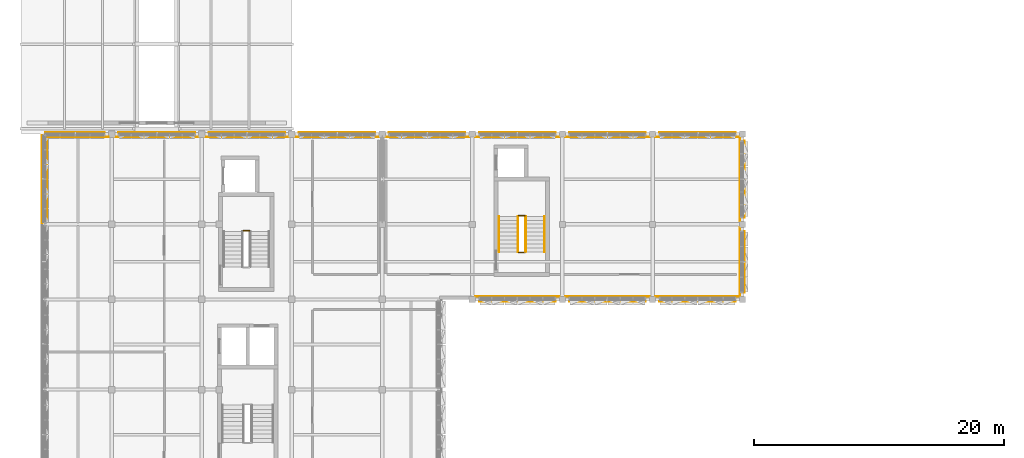
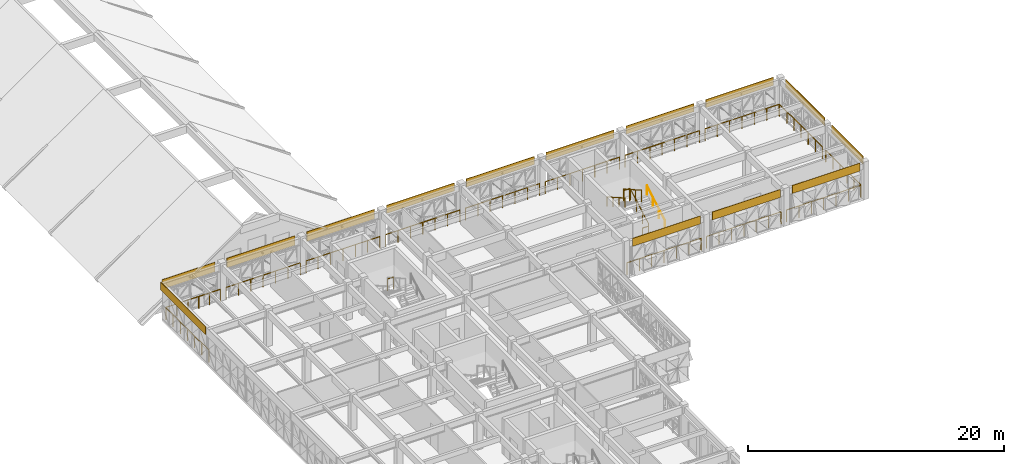
# One storey, part 41 of 48: 21 railings, 14 coverings.
"""IFC4 building model written with IfcOpenShell, lengths in metres."""

from ifc_helpers import new_model, si_unit, direction, frame, origin, origin_2d, place, context, subcontext, project, spatial, polyline, circle, outline, extrude, material, layer, layer_set, type_object, element, save


model = new_model("IFC4")

# Units and contexts
model_context = context("Model", 3, precision=1e-05, world=origin(), true_north=direction((0.0, 1.0)))
body_context = subcontext(model_context, "Body", "Model", "MODEL_VIEW")
ifc_project = project(units=[si_unit("LENGTHUNIT", "METRE"), si_unit("AREAUNIT", "SQUARE_METRE"), si_unit("VOLUMEUNIT", "CUBIC_METRE"), si_unit("PLANEANGLEUNIT", "RADIAN"), si_unit("MASSUNIT", "GRAM", prefix="KILO")], contexts=[model_context])

# Site, building, storey
site_placement = place(None, origin())
site = spatial("IfcSite", under=ifc_project, at=site_placement, CompositionType="ELEMENT")
building_placement = place(site_placement, origin())
building = spatial("IfcBuilding", under=site, at=building_placement, Name="Alvorim Cloister Faculty of Sciences", CompositionType="ELEMENT")
storey_placement = place(building_placement, frame((0.0, 0.0, 19.35009765625)))
storey = spatial("IfcBuildingStorey", under=building, at=storey_placement, Name="L05", CompositionType="ELEMENT", Elevation=19.35009765625)

# Coverings
ifc_material_1 = material(Name="Anodised Aluminium Alloy 6063-T6", Category="aluminium")
ifc_layer = layer(ifc_material_1, 0.031982421875)
ifc_layer_set = layer_set([ifc_layer], Name="Anodised Aluminium Alloy 6063-T6")
covering_type = type_object("IfcCoveringType", Name="COV-FAC-CAS", PredefinedType="CLADDING", material=ifc_layer_set)
covering_1_placement = place(storey_placement, frame((1.64990234375, 49.280029296875, 2.8369140625), z_axis=(0.0, 0.0, 1.0), x_axis=(0.0, 1.0, 0.0)))
element("IfcCovering", 1, at=covering_1_placement, inside=storey, type_object=covering_type, Name="L05 Shifted Bar Slab-Edge Architectural Fascia", PredefinedType="CLADDING", context=body_context, shape_type="SweptSolid", body=[
    extrude(outline(polyline([(0.0, 0.0), (7.0400390625, 0.0), (7.0400390625, 0.7529296875), (0.0, 0.7529296875), (0.0, 0.0)])), frame((0.0, 0.0224609375, 0.0), z_axis=(0.0, -1.0, 0.0), x_axis=(1.0, 0.0, 0.0)), (0.0, 0.0, 1.0), 0.044921875),
])
covering_2_placement = place(storey_placement, frame((1.8798828125, 56.550048828125, 2.685791015625), z_axis=(0.0, 0.0, 1.0), x_axis=(1.0, 0.0, 0.0)))
element("IfcCovering", 2, at=covering_2_placement, inside=storey, type_object=covering_type, Name="L05 Shifted Bar Slab-Edge Architectural Fascia", PredefinedType="CLADDING", context=body_context, shape_type="SweptSolid", body=[
    extrude(outline(polyline([(0.0, 0.0), (4.780029296875, 0.0), (4.780029296875, 0.904052734375), (0.0, 0.904052734375), (0.0, 0.0)])), frame((0.0, 0.0224609375, 0.0), z_axis=(0.0, -1.0, 0.0), x_axis=(1.0, 0.0, 0.0)), (0.0, 0.0, 1.0), 0.044921875),
])
for number, where, z_axis, x_axis, name in (
    (3, (7.739990234375, 56.550048828125, 2.685791015625), (0.0, 0.0, 1.0), (1.0, 0.0, 0.0), "L05 Shifted Bar Slab-Edge Architectural Fascia"),
    (4, (14.93994140625, 56.550048828125, 2.685791015625), (0.0, 0.0, 1.0), (1.0, 0.0, 0.0), "L05 Shifted Bar Slab-Edge Architectural Fascia"),
):
    element("IfcCovering", number, at=place(storey_placement, frame(where, z_axis=z_axis, x_axis=x_axis)), inside=storey, type_object=covering_type, Name=name, PredefinedType="CLADDING", context=body_context, shape_type="SweptSolid", body=[
        extrude(outline(polyline([(0.0, 0.0), (6.1201171875, 0.0), (6.1201171875, 0.904052734375), (0.0, 0.904052734375), (0.0, 0.0)])), frame((0.0, 0.0224609375, 0.0), z_axis=(0.0, -1.0, 0.0), x_axis=(1.0, 0.0, 0.0)), (0.0, 0.0, 1.0), 0.044921875),
    ])
for number, where, z_axis, x_axis, name in (
    (5, (22.139892578125, 56.550048828125, 2.829833984375), (0.0, 0.0, 1.0), (1.0, 0.0, 0.0), "L05 Shifted Bar Slab-Edge Architectural Fascia"),
    (6, (29.340087890625, 56.550048828125, 2.829833984375), (0.0, 0.0, 1.0), (1.0, 0.0, 0.0), "L05 Shifted Bar Slab-Edge Architectural Fascia"),
    (7, (36.5400390625, 56.550048828125, 2.829833984375), (0.0, 0.0, 1.0), (1.0, 0.0, 0.0), "L05 Shifted Bar Slab-Edge Architectural Fascia"),
    (8, (43.739990234375, 56.550048828125, 2.829833984375), (0.0, 0.0, 1.0), (1.0, 0.0, 0.0), "L05 Shifted Bar Slab-Edge Architectural Fascia"),
    (9, (50.93994140625, 56.550048828125, 2.829833984375), (0.0, 0.0, 1.0), (1.0, 0.0, 0.0), "L05 Shifted Bar Slab-Edge Architectural Fascia"),
    (10, (57.75, 49.739990234375, 2.829833984375), (0.0, 0.0, 1.0), (0.0, 1.0, 0.0), "L05 Shifted Bar Slab-Edge Architectural Fascia"),
):
    element("IfcCovering", number, at=place(storey_placement, frame(where, z_axis=z_axis, x_axis=x_axis)), inside=storey, type_object=covering_type, Name=name, PredefinedType="CLADDING", context=body_context, shape_type="SweptSolid", body=[
        extrude(outline(polyline([(0.0, 0.0), (6.1201171875, 0.0), (6.1201171875, 0.760009765625), (0.0, 0.760009765625), (0.0, 0.0)])), frame((0.0, 0.0224609375, 0.0), z_axis=(0.0, -1.0, 0.0), x_axis=(1.0, 0.0, 0.0)), (0.0, 0.0, 1.0), 0.044921875),
    ])
covering_3_placement = place(storey_placement, frame((57.75, 43.739990234375, 2.829833984375), z_axis=(0.0, 0.0, 1.0), x_axis=(0.0, 1.0, 0.0)))
element("IfcCovering", 11, at=covering_3_placement, inside=storey, type_object=covering_type, Name="L05 Shifted Bar Slab-Edge Architectural Fascia", PredefinedType="CLADDING", context=body_context, shape_type="SweptSolid", body=[
    extrude(outline(polyline([(0.0, 0.0), (4.919921875, 0.0), (4.919921875, 0.760009765625), (0.0, 0.760009765625), (0.0, 0.0)])), frame((0.0, 0.0224609375, 0.0), z_axis=(0.0, -1.0, 0.0), x_axis=(1.0, 0.0, 0.0)), (0.0, 0.0, 1.0), 0.044921875),
])
for number, where, z_axis, x_axis, name in (
    (12, (50.93994140625, 43.050048828125, 2.829833984375), (0.0, 0.0, 1.0), (1.0, 0.0, 0.0), "L05 Shifted Bar Slab-Edge Architectural Fascia"),
    (13, (43.739990234375, 43.050048828125, 2.829833984375), (0.0, 0.0, 1.0), (1.0, 0.0, 0.0), "L05 Shifted Bar Slab-Edge Architectural Fascia"),
    (14, (36.5400390625, 43.050048828125, 2.829833984375), (0.0, 0.0, 1.0), (1.0, 0.0, 0.0), "L05 Shifted Bar Slab-Edge Architectural Fascia"),
):
    element("IfcCovering", number, at=place(storey_placement, frame(where, z_axis=z_axis, x_axis=x_axis)), inside=storey, type_object=covering_type, Name=name, PredefinedType="CLADDING", context=body_context, shape_type="SweptSolid", body=[
        extrude(outline(polyline([(0.0, 0.0), (6.1201171875, 0.0), (6.1201171875, 0.760009765625), (0.0, 0.760009765625), (0.0, 0.0)])), frame((0.0, 0.0224609375, 0.0), z_axis=(0.0, -1.0, 0.0), x_axis=(1.0, 0.0, 0.0)), (0.0, 0.0, 1.0), 0.044921875),
    ])

# Railings
ifc_material_2 = material(Name="Laminated Safety Glass and Bronze", Category="glass")
railing_type_1 = type_object("IfcRailingType", Name="RL-ATR-BAL-1150", PredefinedType="BALUSTRADE", material=ifc_material_2)
railing_1_placement = place(storey_placement, frame((2.02001953125, 49.449951171875, 0.0)))
element("IfcRailing", 15, at=railing_1_placement, inside=storey, type_object=railing_type_1, Name="L05 Curtain Wall Sill Guard BL-212", PredefinedType="BALUSTRADE", context=body_context, shape_type="SweptSolid", body=[
    extrude(circle(Radius=0.02392578125, at=origin_2d()), frame((0.0, 0.0, 1.1259765625), z_axis=(0.0, 1.0, 0.0), x_axis=(-1.0, 0.0, 0.0)), (0.0, 0.0, 1.0), 6.699951171875),
    extrude(circle(Radius=0.02099609375, at=origin_2d()), origin(), (0.0, 0.0, 1.0), 1.101806640625),
    extrude(circle(Radius=0.02099609375, at=origin_2d()), frame((0.0, 1.11669921875, 0.0)), (0.0, 0.0, 1.0), 1.101806640625),
    extrude(circle(Radius=0.02099609375, at=origin_2d()), frame((0.0, 2.2333984375, 0.0)), (0.0, 0.0, 1.0), 1.101806640625),
    extrude(circle(Radius=0.02099609375, at=origin_2d()), frame((0.0, 3.35009765625, 0.0)), (0.0, 0.0, 1.0), 1.101806640625),
    extrude(circle(Radius=0.02099609375, at=origin_2d()), frame((0.0, 4.466552734375, 0.0)), (0.0, 0.0, 1.0), 1.101806640625),
    extrude(circle(Radius=0.02099609375, at=origin_2d()), frame((0.0, 5.583251953125, 0.0)), (0.0, 0.0, 1.0), 1.101806640625),
    extrude(circle(Radius=0.02099609375, at=origin_2d()), frame((0.0, 6.699951171875, 0.0)), (0.0, 0.0, 1.0), 1.101806640625),
])
railing_2_placement = place(storey_placement, frame((2.050048828125, 56.179931640625, 0.0)))
element("IfcRailing", 16, at=railing_2_placement, inside=storey, type_object=railing_type_1, Name="L05 Curtain Wall Sill Guard BL-213", PredefinedType="BALUSTRADE", context=body_context, shape_type="SweptSolid", body=[
    extrude(circle(Radius=0.02392578125, at=origin_2d()), frame((0.0, 0.0, 1.1259765625), z_axis=(1.0, 0.0, 0.0), x_axis=(0.0, 1.0, 0.0)), (0.0, 0.0, 1.0), 4.89990234375),
    extrude(circle(Radius=0.02099609375, at=origin_2d()), origin(), (0.0, 0.0, 1.0), 1.101806640625),
    extrude(circle(Radius=0.02099609375, at=origin_2d()), frame((0.97998046875, 0.0, 0.0)), (0.0, 0.0, 1.0), 1.101806640625),
    extrude(circle(Radius=0.02099609375, at=origin_2d()), frame((1.9599609375, 0.0, 0.0)), (0.0, 0.0, 1.0), 1.101806640625),
    extrude(circle(Radius=0.02099609375, at=origin_2d()), frame((2.93994140625, 0.0, 0.0)), (0.0, 0.0, 1.0), 1.101806640625),
    extrude(circle(Radius=0.02099609375, at=origin_2d()), frame((3.919921875, 0.0, 0.0)), (0.0, 0.0, 1.0), 1.101806640625),
    extrude(circle(Radius=0.02099609375, at=origin_2d()), frame((4.89990234375, 0.0, 0.0)), (0.0, 0.0, 1.0), 1.101806640625),
])
railing_3_placement = place(storey_placement, frame((7.449951171875, 56.179931640625, 0.0)))
element("IfcRailing", 17, at=railing_3_placement, inside=storey, type_object=railing_type_1, Name="L05 Curtain Wall Sill Guard BL-214", PredefinedType="BALUSTRADE", context=body_context, shape_type="SweptSolid", body=[
    extrude(circle(Radius=0.02392578125, at=origin_2d()), frame((0.0, 0.0, 1.1259765625), z_axis=(1.0, 0.0, 0.0), x_axis=(0.0, 1.0, 0.0)), (0.0, 0.0, 1.0), 6.699951171875),
    extrude(circle(Radius=0.02099609375, at=origin_2d()), origin(), (0.0, 0.0, 1.0), 1.101806640625),
    extrude(circle(Radius=0.02099609375, at=origin_2d()), frame((1.11669921875, 0.0, 0.0)), (0.0, 0.0, 1.0), 1.101806640625),
    extrude(circle(Radius=0.02099609375, at=origin_2d()), frame((2.2333984375, 0.0, 0.0)), (0.0, 0.0, 1.0), 1.101806640625),
    extrude(circle(Radius=0.02099609375, at=origin_2d()), frame((3.35009765625, 0.0, 0.0)), (0.0, 0.0, 1.0), 1.101806640625),
    extrude(circle(Radius=0.02099609375, at=origin_2d()), frame((4.466552734375, 0.0, 0.0)), (0.0, 0.0, 1.0), 1.101806640625),
    extrude(circle(Radius=0.02099609375, at=origin_2d()), frame((5.583251953125, 0.0, 0.0)), (0.0, 0.0, 1.0), 1.101806640625),
    extrude(circle(Radius=0.02099609375, at=origin_2d()), frame((6.699951171875, 0.0, 0.0)), (0.0, 0.0, 1.0), 1.101806640625),
])
railing_4_placement = place(storey_placement, frame((14.64990234375, 56.179931640625, 0.0)))
element("IfcRailing", 18, at=railing_4_placement, inside=storey, type_object=railing_type_1, Name="L05 Curtain Wall Sill Guard BL-215", PredefinedType="BALUSTRADE", context=body_context, shape_type="SweptSolid", body=[
    extrude(circle(Radius=0.02392578125, at=origin_2d()), frame((0.0, 0.0, 1.1259765625), z_axis=(1.0, 0.0, 0.0), x_axis=(0.0, 1.0, 0.0)), (0.0, 0.0, 1.0), 6.7001953125),
    extrude(circle(Radius=0.02099609375, at=origin_2d()), origin(), (0.0, 0.0, 1.0), 1.101806640625),
    extrude(circle(Radius=0.02099609375, at=origin_2d()), frame((1.11669921875, 0.0, 0.0)), (0.0, 0.0, 1.0), 1.101806640625),
    extrude(circle(Radius=0.02099609375, at=origin_2d()), frame((2.2333984375, 0.0, 0.0)), (0.0, 0.0, 1.0), 1.101806640625),
    extrude(circle(Radius=0.02099609375, at=origin_2d()), frame((3.35009765625, 0.0, 0.0)), (0.0, 0.0, 1.0), 1.101806640625),
    extrude(circle(Radius=0.02099609375, at=origin_2d()), frame((4.466796875, 0.0, 0.0)), (0.0, 0.0, 1.0), 1.101806640625),
    extrude(circle(Radius=0.02099609375, at=origin_2d()), frame((5.58349609375, 0.0, 0.0)), (0.0, 0.0, 1.0), 1.101806640625),
    extrude(circle(Radius=0.02099609375, at=origin_2d()), frame((6.7001953125, 0.0, 0.0)), (0.0, 0.0, 1.0), 1.101806640625),
])
for number, where, name in (
    (19, (21.85009765625, 56.179931640625, 0.0), "L05 Curtain Wall Sill Guard BL-216"),
    (20, (29.050048828125, 56.179931640625, 0.0), "L05 Curtain Wall Sill Guard BL-217"),
    (21, (36.25, 56.179931640625, 0.0), "L05 Curtain Wall Sill Guard BL-218"),
    (22, (43.449951171875, 56.179931640625, 0.0), "L05 Curtain Wall Sill Guard BL-219"),
):
    element("IfcRailing", number, at=place(storey_placement, frame(where)), inside=storey, type_object=railing_type_1, Name=name, PredefinedType="BALUSTRADE", context=body_context, shape_type="SweptSolid", body=[
        extrude(circle(Radius=0.02392578125, at=origin_2d()), frame((0.0, 0.0, 1.1259765625), z_axis=(1.0, 0.0, 0.0), x_axis=(0.0, 1.0, 0.0)), (0.0, 0.0, 1.0), 6.699951171875),
        extrude(circle(Radius=0.02099609375, at=origin_2d()), origin(), (0.0, 0.0, 1.0), 1.101806640625),
        extrude(circle(Radius=0.02099609375, at=origin_2d()), frame((1.11669921875, 0.0, 0.0)), (0.0, 0.0, 1.0), 1.101806640625),
        extrude(circle(Radius=0.02099609375, at=origin_2d()), frame((2.2333984375, 0.0, 0.0)), (0.0, 0.0, 1.0), 1.101806640625),
        extrude(circle(Radius=0.02099609375, at=origin_2d()), frame((3.35009765625, 0.0, 0.0)), (0.0, 0.0, 1.0), 1.101806640625),
        extrude(circle(Radius=0.02099609375, at=origin_2d()), frame((4.466552734375, 0.0, 0.0)), (0.0, 0.0, 1.0), 1.101806640625),
        extrude(circle(Radius=0.02099609375, at=origin_2d()), frame((5.583251953125, 0.0, 0.0)), (0.0, 0.0, 1.0), 1.101806640625),
        extrude(circle(Radius=0.02099609375, at=origin_2d()), frame((6.699951171875, 0.0, 0.0)), (0.0, 0.0, 1.0), 1.101806640625),
    ])
railing_5_placement = place(storey_placement, frame((50.64990234375, 56.179931640625, 0.0)))
element("IfcRailing", 23, at=railing_5_placement, inside=storey, type_object=railing_type_1, Name="L05 Curtain Wall Sill Guard BL-220", PredefinedType="BALUSTRADE", context=body_context, shape_type="SweptSolid", body=[
    extrude(circle(Radius=0.02392578125, at=origin_2d()), frame((0.0, 0.0, 1.1259765625), z_axis=(1.0, 0.0, 0.0), x_axis=(0.0, 1.0, 0.0)), (0.0, 0.0, 1.0), 6.7001953125),
    extrude(circle(Radius=0.02099609375, at=origin_2d()), origin(), (0.0, 0.0, 1.0), 1.101806640625),
    extrude(circle(Radius=0.02099609375, at=origin_2d()), frame((1.11669921875, 0.0, 0.0)), (0.0, 0.0, 1.0), 1.101806640625),
    extrude(circle(Radius=0.02099609375, at=origin_2d()), frame((2.2333984375, 0.0, 0.0)), (0.0, 0.0, 1.0), 1.101806640625),
    extrude(circle(Radius=0.02099609375, at=origin_2d()), frame((3.35009765625, 0.0, 0.0)), (0.0, 0.0, 1.0), 1.101806640625),
    extrude(circle(Radius=0.02099609375, at=origin_2d()), frame((4.466796875, 0.0, 0.0)), (0.0, 0.0, 1.0), 1.101806640625),
    extrude(circle(Radius=0.02099609375, at=origin_2d()), frame((5.58349609375, 0.0, 0.0)), (0.0, 0.0, 1.0), 1.101806640625),
    extrude(circle(Radius=0.02099609375, at=origin_2d()), frame((6.7001953125, 0.0, 0.0)), (0.0, 0.0, 1.0), 1.101806640625),
])
railing_6_placement = place(storey_placement, frame((57.3798828125, 49.449951171875, 0.0)))
element("IfcRailing", 24, at=railing_6_placement, inside=storey, type_object=railing_type_1, Name="L05 Curtain Wall Sill Guard BL-221", PredefinedType="BALUSTRADE", context=body_context, shape_type="SweptSolid", body=[
    extrude(circle(Radius=0.02392578125, at=origin_2d()), frame((0.0, 0.0, 1.1259765625), z_axis=(0.0, 1.0, 0.0), x_axis=(-1.0, 0.0, 0.0)), (0.0, 0.0, 1.0), 6.699951171875),
    extrude(circle(Radius=0.02099609375, at=origin_2d()), origin(), (0.0, 0.0, 1.0), 1.101806640625),
    extrude(circle(Radius=0.02099609375, at=origin_2d()), frame((0.0, 1.11669921875, 0.0)), (0.0, 0.0, 1.0), 1.101806640625),
    extrude(circle(Radius=0.02099609375, at=origin_2d()), frame((0.0, 2.2333984375, 0.0)), (0.0, 0.0, 1.0), 1.101806640625),
    extrude(circle(Radius=0.02099609375, at=origin_2d()), frame((0.0, 3.35009765625, 0.0)), (0.0, 0.0, 1.0), 1.101806640625),
    extrude(circle(Radius=0.02099609375, at=origin_2d()), frame((0.0, 4.466552734375, 0.0)), (0.0, 0.0, 1.0), 1.101806640625),
    extrude(circle(Radius=0.02099609375, at=origin_2d()), frame((0.0, 5.583251953125, 0.0)), (0.0, 0.0, 1.0), 1.101806640625),
    extrude(circle(Radius=0.02099609375, at=origin_2d()), frame((0.0, 6.699951171875, 0.0)), (0.0, 0.0, 1.0), 1.101806640625),
])
railing_7_placement = place(storey_placement, frame((57.3798828125, 43.449951171875, 0.0)))
element("IfcRailing", 25, at=railing_7_placement, inside=storey, type_object=railing_type_1, Name="L05 Curtain Wall Sill Guard BL-222", PredefinedType="BALUSTRADE", context=body_context, shape_type="SweptSolid", body=[
    extrude(circle(Radius=0.02392578125, at=origin_2d()), frame((0.0, 0.0, 1.1259765625), z_axis=(0.0, 1.0, 0.0), x_axis=(-1.0, 0.0, 0.0)), (0.0, 0.0, 1.0), 5.5),
    extrude(circle(Radius=0.02099609375, at=origin_2d()), origin(), (0.0, 0.0, 1.0), 1.101806640625),
    extrude(circle(Radius=0.02099609375, at=origin_2d()), frame((0.0, 1.10009765625, 0.0)), (0.0, 0.0, 1.0), 1.101806640625),
    extrude(circle(Radius=0.02099609375, at=origin_2d()), frame((0.0, 2.199951171875, 0.0)), (0.0, 0.0, 1.0), 1.101806640625),
    extrude(circle(Radius=0.02099609375, at=origin_2d()), frame((0.0, 3.300048828125, 0.0)), (0.0, 0.0, 1.0), 1.101806640625),
    extrude(circle(Radius=0.02099609375, at=origin_2d()), frame((0.0, 4.39990234375, 0.0)), (0.0, 0.0, 1.0), 1.101806640625),
    extrude(circle(Radius=0.02099609375, at=origin_2d()), frame((0.0, 5.5, 0.0)), (0.0, 0.0, 1.0), 1.101806640625),
])
railing_8_placement = place(storey_placement, frame((50.64990234375, 43.419921875, 0.0)))
element("IfcRailing", 26, at=railing_8_placement, inside=storey, type_object=railing_type_1, Name="L05 Curtain Wall Sill Guard BL-223", PredefinedType="BALUSTRADE", context=body_context, shape_type="SweptSolid", body=[
    extrude(circle(Radius=0.02392578125, at=origin_2d()), frame((0.0, 0.0, 1.1259765625), z_axis=(1.0, 0.0, 0.0), x_axis=(0.0, 1.0, 0.0)), (0.0, 0.0, 1.0), 6.7001953125),
    extrude(circle(Radius=0.02099609375, at=origin_2d()), origin(), (0.0, 0.0, 1.0), 1.101806640625),
    extrude(circle(Radius=0.02099609375, at=origin_2d()), frame((1.11669921875, 0.0, 0.0)), (0.0, 0.0, 1.0), 1.101806640625),
    extrude(circle(Radius=0.02099609375, at=origin_2d()), frame((2.2333984375, 0.0, 0.0)), (0.0, 0.0, 1.0), 1.101806640625),
    extrude(circle(Radius=0.02099609375, at=origin_2d()), frame((3.35009765625, 0.0, 0.0)), (0.0, 0.0, 1.0), 1.101806640625),
    extrude(circle(Radius=0.02099609375, at=origin_2d()), frame((4.466796875, 0.0, 0.0)), (0.0, 0.0, 1.0), 1.101806640625),
    extrude(circle(Radius=0.02099609375, at=origin_2d()), frame((5.58349609375, 0.0, 0.0)), (0.0, 0.0, 1.0), 1.101806640625),
    extrude(circle(Radius=0.02099609375, at=origin_2d()), frame((6.7001953125, 0.0, 0.0)), (0.0, 0.0, 1.0), 1.101806640625),
])
for number, where, name in (
    (27, (43.449951171875, 43.419921875, 0.0), "L05 Curtain Wall Sill Guard BL-224"),
    (28, (36.25, 43.419921875, 0.0), "L05 Curtain Wall Sill Guard BL-225"),
):
    element("IfcRailing", number, at=place(storey_placement, frame(where)), inside=storey, type_object=railing_type_1, Name=name, PredefinedType="BALUSTRADE", context=body_context, shape_type="SweptSolid", body=[
        extrude(circle(Radius=0.02392578125, at=origin_2d()), frame((0.0, 0.0, 1.1259765625), z_axis=(1.0, 0.0, 0.0), x_axis=(0.0, 1.0, 0.0)), (0.0, 0.0, 1.0), 6.699951171875),
        extrude(circle(Radius=0.02099609375, at=origin_2d()), origin(), (0.0, 0.0, 1.0), 1.101806640625),
        extrude(circle(Radius=0.02099609375, at=origin_2d()), frame((1.11669921875, 0.0, 0.0)), (0.0, 0.0, 1.0), 1.101806640625),
        extrude(circle(Radius=0.02099609375, at=origin_2d()), frame((2.2333984375, 0.0, 0.0)), (0.0, 0.0, 1.0), 1.101806640625),
        extrude(circle(Radius=0.02099609375, at=origin_2d()), frame((3.35009765625, 0.0, 0.0)), (0.0, 0.0, 1.0), 1.101806640625),
        extrude(circle(Radius=0.02099609375, at=origin_2d()), frame((4.466552734375, 0.0, 0.0)), (0.0, 0.0, 1.0), 1.101806640625),
        extrude(circle(Radius=0.02099609375, at=origin_2d()), frame((5.583251953125, 0.0, 0.0)), (0.0, 0.0, 1.0), 1.101806640625),
        extrude(circle(Radius=0.02099609375, at=origin_2d()), frame((6.699951171875, 0.0, 0.0)), (0.0, 0.0, 1.0), 1.101806640625),
    ])
ifc_material_3 = material(Name="Galvanised Painted Steel", Category="steel")
railing_type_2 = type_object("IfcRailingType", Name="RL-STR-GUARD", PredefinedType="GUARDRAIL", material=ifc_material_3)
railing_9_placement = place(storey_placement, frame((18.219970703125, 48.68505859375, 1.7998046875)))
element("IfcRailing", 29, at=railing_9_placement, inside=storey, type_object=railing_type_2, Name="L05 ST-03 stair guard 2", PredefinedType="GUARDRAIL", context=body_context, shape_type="SweptSolid", body=[
    extrude(circle(Radius=0.02392578125, at=origin_2d()), frame((0.0, 0.0, 1.09619140625), z_axis=(-1.0, 0.0, 0.0), x_axis=(0.0, -1.0, 0.0)), (0.0, 0.0, 1.0), 0.52001953125),
    extrude(circle(Radius=0.02099609375, at=origin_2d()), origin(), (0.0, 0.0, 1.0), 1.072021484375),
    extrude(circle(Radius=0.02099609375, at=origin_2d()), frame((-0.52001953125, 0.0, 0.0)), (0.0, 0.0, 1.0), 1.072021484375),
])
railing_10_placement = place(storey_placement, frame((40.27001953125, 47.0, 0.179931640625)))
element("IfcRailing", 30, at=railing_10_placement, inside=storey, type_object=railing_type_2, Name="L05 ST-04 stair guard 1", PredefinedType="GUARDRAIL", context=body_context, shape_type="SweptSolid", body=[
    extrude(circle(Radius=0.02392578125, at=origin_2d()), frame((0.0, 0.0, 1.09619140625), z_axis=(0.0, 0.868256945921, 0.496114780932), x_axis=(-1.0, 0.0, 0.0)), (0.0, 0.0, 1.0), 3.26513671875),
    extrude(circle(Radius=0.02099609375, at=origin_2d()), origin(), (0.0, 0.0, 1.0), 1.072021484375),
    extrude(circle(Radius=0.02099609375, at=origin_2d()), frame((0.0, 0.945068359375, 0.5400390625)), (0.0, 0.0, 1.0), 1.072021484375),
    extrude(circle(Radius=0.02099609375, at=origin_2d()), frame((0.0, 1.889892578125, 1.079833984375)), (0.0, 0.0, 1.0), 1.072021484375),
    extrude(circle(Radius=0.02099609375, at=origin_2d()), frame((0.0, 2.8349609375, 1.619873046875)), (0.0, 0.0, 1.0), 1.072021484375),
])
railing_11_placement = place(storey_placement, frame((40.219970703125, 49.885009765625, 1.7998046875)))
element("IfcRailing", 31, at=railing_11_placement, inside=storey, type_object=railing_type_2, Name="L05 ST-04 stair guard 2", PredefinedType="GUARDRAIL", context=body_context, shape_type="SweptSolid", body=[
    extrude(circle(Radius=0.02392578125, at=origin_2d()), frame((0.0, 0.0, 1.09619140625), z_axis=(-1.0, 0.0, 0.0), x_axis=(0.0, -1.0, 0.0)), (0.0, 0.0, 1.0), 0.52001953125),
    extrude(circle(Radius=0.02099609375, at=origin_2d()), origin(), (0.0, 0.0, 1.0), 1.072021484375),
    extrude(circle(Radius=0.02099609375, at=origin_2d()), frame((-0.52001953125, 0.0, 0.0)), (0.0, 0.0, 1.0), 1.072021484375),
])
railing_12_placement = place(storey_placement, frame((39.64990234375, 49.8349609375, 1.97998046875)))
element("IfcRailing", 32, at=railing_12_placement, inside=storey, type_object=railing_type_2, Name="L05 ST-04 stair guard 3", PredefinedType="GUARDRAIL", context=body_context, shape_type="SweptSolid", body=[
    extrude(circle(Radius=0.02392578125, at=origin_2d()), frame((0.0, 0.0, 1.09619140625), z_axis=(0.0, -0.868256945921, 0.496114780932), x_axis=(1.0, 0.0, 0.0)), (0.0, 0.0, 1.0), 3.26513671875),
    extrude(circle(Radius=0.02099609375, at=origin_2d()), origin(), (0.0, 0.0, 1.0), 1.072021484375),
    extrude(circle(Radius=0.02099609375, at=origin_2d()), frame((0.0, -0.945068359375, 0.5400390625)), (0.0, 0.0, 1.0), 1.072021484375),
    extrude(circle(Radius=0.02099609375, at=origin_2d()), frame((0.0, -1.889892578125, 1.079833984375)), (0.0, 0.0, 1.0), 1.072021484375),
    extrude(circle(Radius=0.02099609375, at=origin_2d()), frame((0.0, -2.8349609375, 1.619873046875)), (0.0, 0.0, 1.0), 1.072021484375),
])
railing_13_placement = place(storey_placement, frame((40.219970703125, 46.949951171875, 0.0)))
element("IfcRailing", 33, at=railing_13_placement, inside=storey, type_object=railing_type_2, Name="L05 ST-04 stair guard 4", PredefinedType="GUARDRAIL", context=body_context, shape_type="SweptSolid", body=[
    extrude(circle(Radius=0.02392578125, at=origin_2d()), frame((0.0, 0.0, 1.09619140625), z_axis=(-1.0, 0.0, 0.0), x_axis=(0.0, -1.0, 0.0)), (0.0, 0.0, 1.0), 0.52001953125),
    extrude(circle(Radius=0.02099609375, at=origin_2d()), origin(), (0.0, 0.0, 1.0), 1.072021484375),
    extrude(circle(Radius=0.02099609375, at=origin_2d()), frame((-0.52001953125, 0.0, 0.0)), (0.0, 0.0, 1.0), 1.072021484375),
])
ifc_material_4 = material(Name="Brushed Stainless Steel", Category="steel")
railing_type_3 = type_object("IfcRailingType", Name="RL-STR-HAND", PredefinedType="HANDRAIL", material=ifc_material_4)
railing_14_placement = place(storey_placement, frame((41.77001953125, 47.0, 0.179931640625)))
element("IfcRailing", 34, at=railing_14_placement, inside=storey, type_object=railing_type_3, Name="L05 ST-04 stair handrail 1", PredefinedType="HANDRAIL", context=body_context, shape_type="SweptSolid", body=[
    extrude(circle(Radius=0.02392578125, at=origin_2d()), frame((0.0, 0.0, 0.8759765625), z_axis=(0.0, 0.868256945921, 0.496114780932), x_axis=(-1.0, 0.0, 0.0)), (0.0, 0.0, 1.0), 3.26513671875),
    extrude(circle(Radius=0.02099609375, at=origin_2d()), origin(), (0.0, 0.0, 1.0), 0.851806640625),
    extrude(circle(Radius=0.02099609375, at=origin_2d()), frame((0.0, 0.945068359375, 0.5400390625)), (0.0, 0.0, 1.0), 0.851806640625),
    extrude(circle(Radius=0.02099609375, at=origin_2d()), frame((0.0, 1.889892578125, 1.079833984375)), (0.0, 0.0, 1.0), 0.851806640625),
    extrude(circle(Radius=0.02099609375, at=origin_2d()), frame((0.0, 2.8349609375, 1.619873046875)), (0.0, 0.0, 1.0), 0.851806640625),
])
railing_15_placement = place(storey_placement, frame((38.14990234375, 49.8349609375, 1.97998046875)))
element("IfcRailing", 35, at=railing_15_placement, inside=storey, type_object=railing_type_3, Name="L05 ST-04 stair handrail 2", PredefinedType="HANDRAIL", context=body_context, shape_type="SweptSolid", body=[
    extrude(circle(Radius=0.02392578125, at=origin_2d()), frame((0.0, 0.0, 0.8759765625), z_axis=(0.0, -0.868256945921, 0.496114780932), x_axis=(1.0, 0.0, 0.0)), (0.0, 0.0, 1.0), 3.26513671875),
    extrude(circle(Radius=0.02099609375, at=origin_2d()), origin(), (0.0, 0.0, 1.0), 0.851806640625),
    extrude(circle(Radius=0.02099609375, at=origin_2d()), frame((0.0, -0.945068359375, 0.5400390625)), (0.0, 0.0, 1.0), 0.851806640625),
    extrude(circle(Radius=0.02099609375, at=origin_2d()), frame((0.0, -1.889892578125, 1.079833984375)), (0.0, 0.0, 1.0), 0.851806640625),
    extrude(circle(Radius=0.02099609375, at=origin_2d()), frame((0.0, -2.8349609375, 1.619873046875)), (0.0, 0.0, 1.0), 0.851806640625),
])

save(model, "model.ifc")
